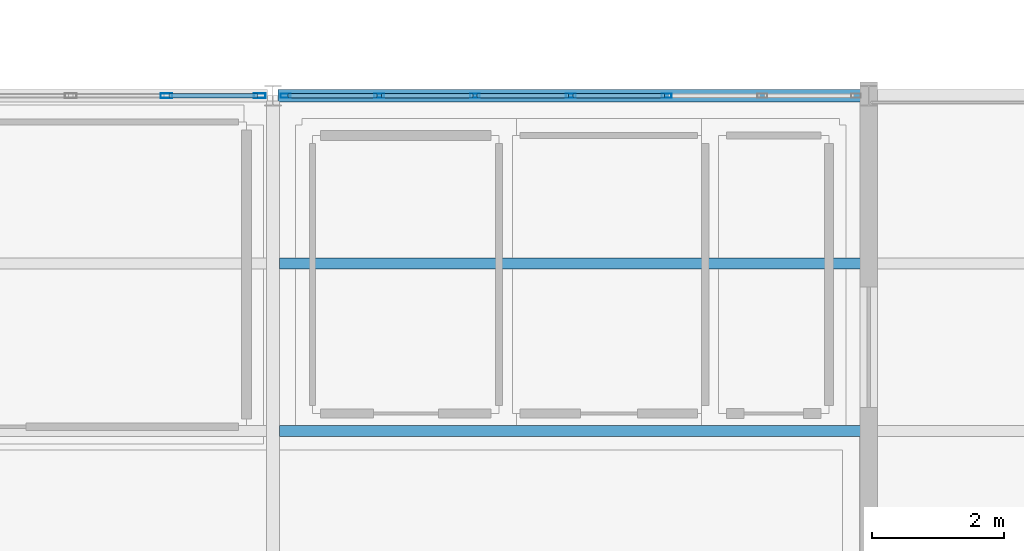
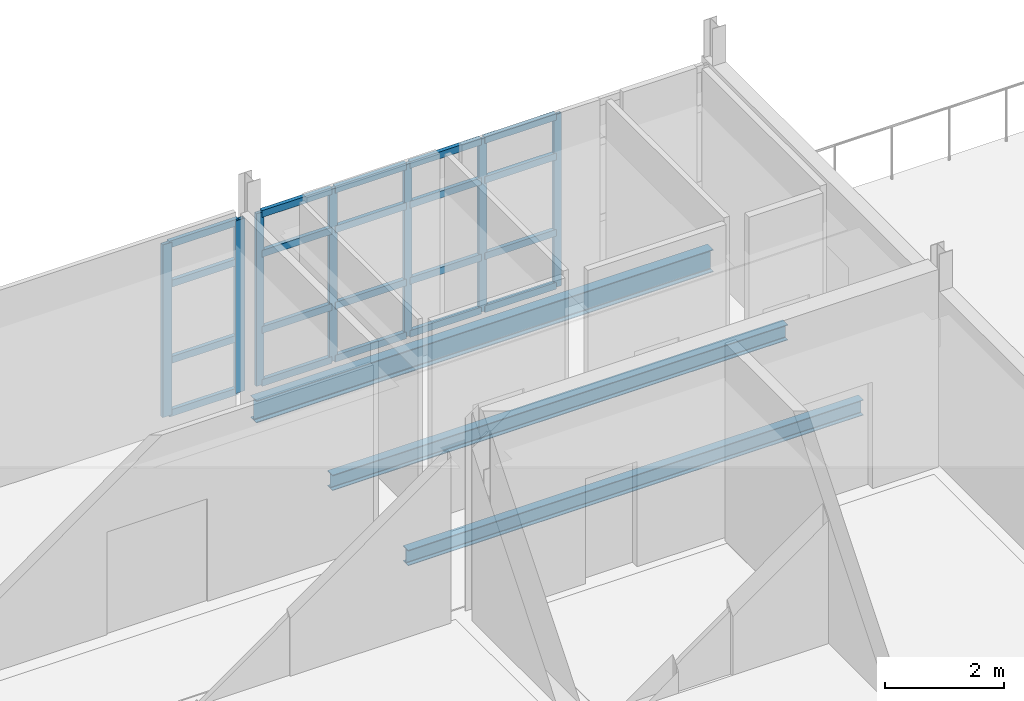
# One storey, part 9 of 24: 27 members, 3 beams, 2 elements without a shape of their own.
"""IFC4 building model written with IfcOpenShell, lengths in metres."""

from ifc_helpers import new_model, si_unit, direction, frame, origin, origin_2d, place, context, subcontext, project, spatial, hollow_rectangle, i_section, extrude, material, material_profile, profile_set, type_object, element, aggregate, save


model = new_model("IFC4")

# Units and contexts
model_context = context("Model", 3, precision=1e-05, world=origin(), true_north=direction((0.0, 1.0)))
body_context = subcontext(model_context, "Body", "Model", "MODEL_VIEW")
ifc_project = project(units=[si_unit("LENGTHUNIT", "METRE"), si_unit("AREAUNIT", "SQUARE_METRE"), si_unit("VOLUMEUNIT", "CUBIC_METRE"), si_unit("PLANEANGLEUNIT", "RADIAN"), si_unit("MASSUNIT", "GRAM", prefix="KILO")], contexts=[model_context])

# Site, building, storey
site_placement = place(None, origin())
site = spatial("IfcSite", under=ifc_project, at=site_placement, CompositionType="ELEMENT")
building_placement = place(site_placement, origin())
building = spatial("IfcBuilding", under=site, at=building_placement, Name="Caisbarro Railhouse Central Library", CompositionType="ELEMENT")
storey_placement = place(building_placement, frame((0.0, 0.0, 22.320068359375)))
storey = spatial("IfcBuildingStorey", under=building, at=storey_placement, Name="L05", CompositionType="ELEMENT", Elevation=22.320068359375)

# Beams
ifc_material_1 = material(Name="Steel ASTM A572 Grade 50", Category="steel")
ifc_material_profile_1 = material_profile(ifc_material_1, i_section(OverallWidth=0.1669921875, OverallDepth=0.31689453125, WebThickness=0.007568359375, FlangeThickness=0.01318359375, FilletRadius=0.011962890625, at=origin_2d()), Name="W310X52.0")
ifc_profile_set_1 = profile_set([ifc_material_profile_1], Name="Steel ASTM A572 Grade 50")
beam_type_1 = type_object("IfcBeamType", Name="BM-J02", PredefinedType="JOIST", material=ifc_profile_set_1)
for number, where, z_axis, x_axis, name in (
    (1, (90.096923828125, 17.7333984375, -0.398681640625), (1.0, 0.0, 0.0), (0.0, 1.0, 0.0), "J02 beam L05 #2219"),
    (2, (90.096923828125, 20.2666015625, -0.398681640625), (1.0, 0.0, 0.0), (0.0, 1.0, 0.0), "J02 beam L05 #2220"),
):
    element("IfcBeam", number, at=place(storey_placement, frame(where, z_axis=z_axis, x_axis=x_axis)), inside=storey, type_object=beam_type_1, Name=name, PredefinedType="JOIST", context=body_context, shape_type="SweptSolid", body=[
        extrude(i_section(OverallWidth=0.1669921875, OverallDepth=0.31689453125, WebThickness=0.007568359375, FlangeThickness=0.01318359375, FilletRadius=0.011962890625, at=origin_2d()), origin(), (0.0, 0.0, 1.0), 8.80615234375),
    ])
ifc_material_profile_2 = material_profile(ifc_material_1, i_section(OverallWidth=0.18994140625, OverallDepth=0.45703125, WebThickness=0.009033203125, FlangeThickness=0.014404296875, FilletRadius=0.01806640625, at=origin_2d()), Name="W460X74.0")
ifc_profile_set_2 = profile_set([ifc_material_profile_2], Name="Steel ASTM A572 Grade 50")
beam_type_2 = type_object("IfcBeamType", Name="BM-SP01", PredefinedType="SPANDREL", material=ifc_profile_set_2)
beam_placement = place(storey_placement, frame((90.080078125, 22.800048828125, -0.468505859375), z_axis=(1.0, 0.0, 0.0), x_axis=(0.0, 1.0, 0.0)))
element("IfcBeam", 3, at=beam_placement, inside=storey, type_object=beam_type_2, Name="SP01 beam L05 #2189", PredefinedType="SPANDREL", context=body_context, shape_type="SweptSolid", body=[
    extrude(i_section(OverallWidth=0.18994140625, OverallDepth=0.45703125, WebThickness=0.009033203125, FlangeThickness=0.014404296875, FilletRadius=0.01806640625, at=origin_2d()), origin(), (0.0, 0.0, 1.0), 8.83984375),
])

# Curtain wall, members
ifc_material_2 = material(Name="Anodised architectural aluminium", Category="aluminium")
curtain_wall_type = type_object("IfcCurtainWallType", Name="CW-CW02", PredefinedType="NOTDEFINED", material=ifc_material_2)
curtain_wall_1_placement = place(storey_placement, origin())
curtain_wall_1 = element("IfcCurtainWall", 4, at=curtain_wall_1_placement, inside=storey, type_object=curtain_wall_type, Name="CW02 curtain wall L05 #72", PredefinedType="NOTDEFINED")
ifc_material_profile_3 = material_profile(ifc_material_2, hollow_rectangle(XDim=0.074951171875, YDim=0.179931640625, WallThickness=0.00439453125, at=origin_2d()), Name="ALU-MUL-75X180")
ifc_profile_set_3 = profile_set([ifc_material_profile_3], Name="Anodised architectural aluminium")
member_type_1 = type_object("IfcMemberType", Name="CWM-M01", PredefinedType="MULLION", material=ifc_profile_set_3)
member_1_placement = place(storey_placement, frame((88.393310546875, 22.800048828125, 0.0), z_axis=(0.0, 0.0, 1.0), x_axis=(0.0, 1.0, 0.0)))
member_1 = element("IfcMember", 5, at=member_1_placement, type_object=member_type_1, Name="CW02 mullion 6", PredefinedType="MULLION", context=body_context, shape_type="SweptSolid", body=[
    extrude(hollow_rectangle(XDim=0.074951171875, YDim=0.179931640625, WallThickness=0.00439453125, at=origin_2d()), origin(), (0.0, 0.0, 1.0), 3.530029296875),
])
member_2_placement = place(storey_placement, frame((89.802490234375, 22.800048828125, 0.0), z_axis=(0.0, 0.0, 1.0), x_axis=(0.0, 1.0, 0.0)))
member_2 = element("IfcMember", 6, at=member_2_placement, type_object=member_type_1, Name="CW02 mullion 7", PredefinedType="MULLION", context=body_context, shape_type="SweptSolid", body=[
    extrude(hollow_rectangle(XDim=0.074951171875, YDim=0.179931640625, WallThickness=0.00439453125, at=origin_2d()), origin(), (0.0, 0.0, 1.0), 3.530029296875),
])

curtain_wall_2_placement = place(storey_placement, origin())
curtain_wall_2 = element("IfcCurtainWall", 7, at=curtain_wall_2_placement, inside=storey, type_object=curtain_wall_type, Name="CW02 curtain wall L05 #73", PredefinedType="NOTDEFINED")
ifc_material_profile_4 = material_profile(ifc_material_2, hollow_rectangle(XDim=0.06494140625, YDim=0.14990234375, WallThickness=0.00390625, at=origin_2d()), Name="ALU-MUL-65X150")
ifc_profile_set_4 = profile_set([ifc_material_profile_4], Name="Anodised architectural aluminium")
member_type_2 = type_object("IfcMemberType", Name="CWM-M02", PredefinedType="MULLION", material=ifc_profile_set_4)
member_3_placement = place(storey_placement, frame((90.1923828125, 22.800048828125, 0.0), z_axis=(0.0, 0.0, 1.0), x_axis=(0.0, 1.0, 0.0)))
member_3 = element("IfcMember", 8, at=member_3_placement, type_object=member_type_2, Name="CW02 mullion 1", PredefinedType="MULLION", context=body_context, shape_type="SweptSolid", body=[
    extrude(hollow_rectangle(XDim=0.06494140625, YDim=0.14990234375, WallThickness=0.00390625, at=origin_2d()), origin(), (0.0, 0.0, 1.0), 3.530029296875),
])
member_4_placement = place(storey_placement, frame((91.606689453125, 22.800048828125, 0.0), z_axis=(0.0, 0.0, 1.0), x_axis=(0.0, 1.0, 0.0)))
member_4 = element("IfcMember", 9, at=member_4_placement, type_object=member_type_2, Name="CW02 mullion 2", PredefinedType="MULLION", context=body_context, shape_type="SweptSolid", body=[
    extrude(hollow_rectangle(XDim=0.06494140625, YDim=0.14990234375, WallThickness=0.00390625, at=origin_2d()), origin(), (0.0, 0.0, 1.0), 3.530029296875),
])
member_5_placement = place(storey_placement, frame((93.05322265625, 22.800048828125, 0.0), z_axis=(0.0, 0.0, 1.0), x_axis=(0.0, 1.0, 0.0)))
member_5 = element("IfcMember", 10, at=member_5_placement, type_object=member_type_2, Name="CW02 mullion 3", PredefinedType="MULLION", context=body_context, shape_type="SweptSolid", body=[
    extrude(hollow_rectangle(XDim=0.06494140625, YDim=0.14990234375, WallThickness=0.00390625, at=origin_2d()), origin(), (0.0, 0.0, 1.0), 3.530029296875),
])
member_6_placement = place(storey_placement, frame((94.5, 22.800048828125, 0.0), z_axis=(0.0, 0.0, 1.0), x_axis=(0.0, 1.0, 0.0)))
member_6 = element("IfcMember", 11, at=member_6_placement, type_object=member_type_2, Name="CW02 mullion 4", PredefinedType="MULLION", context=body_context, shape_type="SweptSolid", body=[
    extrude(hollow_rectangle(XDim=0.06494140625, YDim=0.14990234375, WallThickness=0.00390625, at=origin_2d()), origin(), (0.0, 0.0, 1.0), 3.530029296875),
])
member_7_placement = place(storey_placement, frame((95.94677734375, 22.800048828125, 0.0), z_axis=(0.0, 0.0, 1.0), x_axis=(0.0, 1.0, 0.0)))
member_7 = element("IfcMember", 12, at=member_7_placement, type_object=member_type_2, Name="CW02 mullion 5", PredefinedType="MULLION", context=body_context, shape_type="SweptSolid", body=[
    extrude(hollow_rectangle(XDim=0.06494140625, YDim=0.14990234375, WallThickness=0.00390625, at=origin_2d()), origin(), (0.0, 0.0, 1.0), 3.530029296875),
])

# Member
ifc_material_profile_5 = material_profile(ifc_material_2, hollow_rectangle(XDim=0.074951171875, YDim=0.139892578125, WallThickness=0.00390625, at=origin_2d()), Name="ALU-TRN-75X140")
ifc_profile_set_5 = profile_set([ifc_material_profile_5], Name="Anodised architectural aluminium")
member_type_3 = type_object("IfcMemberType", Name="CWT-T01", PredefinedType="USERDEFINED", material=ifc_profile_set_5)
member_8_placement = place(storey_placement, frame((88.430908203125, 22.800048828125, 0.037353515625), z_axis=(1.0, 0.0, 0.0), x_axis=(0.0, 1.0, 0.0)))
member_8 = element("IfcMember", 13, at=member_8_placement, type_object=member_type_3, Name="CW02 transom 6.1", ObjectType="TRANSOM", PredefinedType="USERDEFINED", context=body_context, shape_type="SweptSolid", body=[
    extrude(hollow_rectangle(XDim=0.074951171875, YDim=0.139892578125, WallThickness=0.00390625, at=origin_2d()), origin(), (0.0, 0.0, 1.0), 1.333984375),
])

member_9_placement = place(storey_placement, frame((88.430908203125, 22.800048828125, 1.119873046875), z_axis=(1.0, 0.0, 0.0), x_axis=(0.0, 1.0, 0.0)))
member_9 = element("IfcMember", 14, at=member_9_placement, type_object=member_type_3, Name="CW02 transom 6.2", ObjectType="TRANSOM", PredefinedType="USERDEFINED", context=body_context, shape_type="SweptSolid", body=[
    extrude(hollow_rectangle(XDim=0.074951171875, YDim=0.139892578125, WallThickness=0.00390625, at=origin_2d()), origin(), (0.0, 0.0, 1.0), 1.333984375),
])

member_10_placement = place(storey_placement, frame((88.430908203125, 22.800048828125, 2.679931640625), z_axis=(1.0, 0.0, 0.0), x_axis=(0.0, 1.0, 0.0)))
member_10 = element("IfcMember", 15, at=member_10_placement, type_object=member_type_3, Name="CW02 transom 6.3", ObjectType="TRANSOM", PredefinedType="USERDEFINED", context=body_context, shape_type="SweptSolid", body=[
    extrude(hollow_rectangle(XDim=0.074951171875, YDim=0.139892578125, WallThickness=0.00390625, at=origin_2d()), origin(), (0.0, 0.0, 1.0), 1.333984375),
])

member_11_placement = place(storey_placement, frame((88.430908203125, 22.800048828125, 3.492431640625), z_axis=(1.0, 0.0, 0.0), x_axis=(0.0, 1.0, 0.0)))
member_11 = element("IfcMember", 16, at=member_11_placement, type_object=member_type_3, Name="CW02 transom 6.4", ObjectType="TRANSOM", PredefinedType="USERDEFINED", context=body_context, shape_type="SweptSolid", body=[
    extrude(hollow_rectangle(XDim=0.074951171875, YDim=0.139892578125, WallThickness=0.00390625, at=origin_2d()), origin(), (0.0, 0.0, 1.0), 1.333984375),
])

aggregate(curtain_wall_1, [member_1, member_2, member_8, member_9, member_10, member_11])

member_12_placement = place(storey_placement, frame((90.22509765625, 22.800048828125, 0.037353515625), z_axis=(1.0, 0.0, 0.0), x_axis=(0.0, 1.0, 0.0)))
member_12 = element("IfcMember", 17, at=member_12_placement, type_object=member_type_3, Name="CW02 transom 1.1", ObjectType="TRANSOM", PredefinedType="USERDEFINED", context=body_context, shape_type="SweptSolid", body=[
    extrude(hollow_rectangle(XDim=0.074951171875, YDim=0.139892578125, WallThickness=0.00390625, at=origin_2d()), origin(), (0.0, 0.0, 1.0), 1.34912109375),
])

member_13_placement = place(storey_placement, frame((90.22509765625, 22.800048828125, 1.119873046875), z_axis=(1.0, 0.0, 0.0), x_axis=(0.0, 1.0, 0.0)))
member_13 = element("IfcMember", 18, at=member_13_placement, type_object=member_type_3, Name="CW02 transom 1.2", ObjectType="TRANSOM", PredefinedType="USERDEFINED", context=body_context, shape_type="SweptSolid", body=[
    extrude(hollow_rectangle(XDim=0.074951171875, YDim=0.139892578125, WallThickness=0.00390625, at=origin_2d()), origin(), (0.0, 0.0, 1.0), 1.34912109375),
])

member_14_placement = place(storey_placement, frame((90.22509765625, 22.800048828125, 2.679931640625), z_axis=(1.0, 0.0, 0.0), x_axis=(0.0, 1.0, 0.0)))
member_14 = element("IfcMember", 19, at=member_14_placement, type_object=member_type_3, Name="CW02 transom 1.3", ObjectType="TRANSOM", PredefinedType="USERDEFINED", context=body_context, shape_type="SweptSolid", body=[
    extrude(hollow_rectangle(XDim=0.074951171875, YDim=0.139892578125, WallThickness=0.00390625, at=origin_2d()), origin(), (0.0, 0.0, 1.0), 1.34912109375),
])

member_15_placement = place(storey_placement, frame((90.22509765625, 22.800048828125, 3.492431640625), z_axis=(1.0, 0.0, 0.0), x_axis=(0.0, 1.0, 0.0)))
member_15 = element("IfcMember", 20, at=member_15_placement, type_object=member_type_3, Name="CW02 transom 1.4", ObjectType="TRANSOM", PredefinedType="USERDEFINED", context=body_context, shape_type="SweptSolid", body=[
    extrude(hollow_rectangle(XDim=0.074951171875, YDim=0.139892578125, WallThickness=0.00390625, at=origin_2d()), origin(), (0.0, 0.0, 1.0), 1.34912109375),
])

member_16_placement = place(storey_placement, frame((91.63916015625, 22.800048828125, 0.037353515625), z_axis=(1.0, 0.0, 0.0), x_axis=(0.0, 1.0, 0.0)))
member_16 = element("IfcMember", 21, at=member_16_placement, type_object=member_type_3, Name="CW02 transom 2.1", ObjectType="TRANSOM", PredefinedType="USERDEFINED", context=body_context, shape_type="SweptSolid", body=[
    extrude(hollow_rectangle(XDim=0.074951171875, YDim=0.139892578125, WallThickness=0.00390625, at=origin_2d()), origin(), (0.0, 0.0, 1.0), 1.381591796875),
])

member_17_placement = place(storey_placement, frame((91.63916015625, 22.800048828125, 1.119873046875), z_axis=(1.0, 0.0, 0.0), x_axis=(0.0, 1.0, 0.0)))
member_17 = element("IfcMember", 22, at=member_17_placement, type_object=member_type_3, Name="CW02 transom 2.2", ObjectType="TRANSOM", PredefinedType="USERDEFINED", context=body_context, shape_type="SweptSolid", body=[
    extrude(hollow_rectangle(XDim=0.074951171875, YDim=0.139892578125, WallThickness=0.00390625, at=origin_2d()), origin(), (0.0, 0.0, 1.0), 1.381591796875),
])

member_18_placement = place(storey_placement, frame((91.63916015625, 22.800048828125, 2.679931640625), z_axis=(1.0, 0.0, 0.0), x_axis=(0.0, 1.0, 0.0)))
member_18 = element("IfcMember", 23, at=member_18_placement, type_object=member_type_3, Name="CW02 transom 2.3", ObjectType="TRANSOM", PredefinedType="USERDEFINED", context=body_context, shape_type="SweptSolid", body=[
    extrude(hollow_rectangle(XDim=0.074951171875, YDim=0.139892578125, WallThickness=0.00390625, at=origin_2d()), origin(), (0.0, 0.0, 1.0), 1.381591796875),
])

member_19_placement = place(storey_placement, frame((91.63916015625, 22.800048828125, 3.492431640625), z_axis=(1.0, 0.0, 0.0), x_axis=(0.0, 1.0, 0.0)))
member_19 = element("IfcMember", 24, at=member_19_placement, type_object=member_type_3, Name="CW02 transom 2.4", ObjectType="TRANSOM", PredefinedType="USERDEFINED", context=body_context, shape_type="SweptSolid", body=[
    extrude(hollow_rectangle(XDim=0.074951171875, YDim=0.139892578125, WallThickness=0.00390625, at=origin_2d()), origin(), (0.0, 0.0, 1.0), 1.381591796875),
])

member_20_placement = place(storey_placement, frame((93.0859375, 22.800048828125, 0.037353515625), z_axis=(1.0, 0.0, 0.0), x_axis=(0.0, 1.0, 0.0)))
member_20 = element("IfcMember", 25, at=member_20_placement, type_object=member_type_3, Name="CW02 transom 3.1", ObjectType="TRANSOM", PredefinedType="USERDEFINED", context=body_context, shape_type="SweptSolid", body=[
    extrude(hollow_rectangle(XDim=0.074951171875, YDim=0.139892578125, WallThickness=0.00390625, at=origin_2d()), origin(), (0.0, 0.0, 1.0), 1.381591796875),
])

member_21_placement = place(storey_placement, frame((93.0859375, 22.800048828125, 1.119873046875), z_axis=(1.0, 0.0, 0.0), x_axis=(0.0, 1.0, 0.0)))
member_21 = element("IfcMember", 26, at=member_21_placement, type_object=member_type_3, Name="CW02 transom 3.2", ObjectType="TRANSOM", PredefinedType="USERDEFINED", context=body_context, shape_type="SweptSolid", body=[
    extrude(hollow_rectangle(XDim=0.074951171875, YDim=0.139892578125, WallThickness=0.00390625, at=origin_2d()), origin(), (0.0, 0.0, 1.0), 1.381591796875),
])

member_22_placement = place(storey_placement, frame((93.0859375, 22.800048828125, 2.679931640625), z_axis=(1.0, 0.0, 0.0), x_axis=(0.0, 1.0, 0.0)))
member_22 = element("IfcMember", 27, at=member_22_placement, type_object=member_type_3, Name="CW02 transom 3.3", ObjectType="TRANSOM", PredefinedType="USERDEFINED", context=body_context, shape_type="SweptSolid", body=[
    extrude(hollow_rectangle(XDim=0.074951171875, YDim=0.139892578125, WallThickness=0.00390625, at=origin_2d()), origin(), (0.0, 0.0, 1.0), 1.381591796875),
])

member_23_placement = place(storey_placement, frame((93.0859375, 22.800048828125, 3.492431640625), z_axis=(1.0, 0.0, 0.0), x_axis=(0.0, 1.0, 0.0)))
member_23 = element("IfcMember", 28, at=member_23_placement, type_object=member_type_3, Name="CW02 transom 3.4", ObjectType="TRANSOM", PredefinedType="USERDEFINED", context=body_context, shape_type="SweptSolid", body=[
    extrude(hollow_rectangle(XDim=0.074951171875, YDim=0.139892578125, WallThickness=0.00390625, at=origin_2d()), origin(), (0.0, 0.0, 1.0), 1.381591796875),
])

member_24_placement = place(storey_placement, frame((94.532470703125, 22.800048828125, 0.037353515625), z_axis=(1.0, 0.0, 0.0), x_axis=(0.0, 1.0, 0.0)))
member_24 = element("IfcMember", 29, at=member_24_placement, type_object=member_type_3, Name="CW02 transom 4.1", ObjectType="TRANSOM", PredefinedType="USERDEFINED", context=body_context, shape_type="SweptSolid", body=[
    extrude(hollow_rectangle(XDim=0.074951171875, YDim=0.139892578125, WallThickness=0.00390625, at=origin_2d()), origin(), (0.0, 0.0, 1.0), 1.381591796875),
])

member_25_placement = place(storey_placement, frame((94.532470703125, 22.800048828125, 1.119873046875), z_axis=(1.0, 0.0, 0.0), x_axis=(0.0, 1.0, 0.0)))
member_25 = element("IfcMember", 30, at=member_25_placement, type_object=member_type_3, Name="CW02 transom 4.2", ObjectType="TRANSOM", PredefinedType="USERDEFINED", context=body_context, shape_type="SweptSolid", body=[
    extrude(hollow_rectangle(XDim=0.074951171875, YDim=0.139892578125, WallThickness=0.00390625, at=origin_2d()), origin(), (0.0, 0.0, 1.0), 1.381591796875),
])

member_26_placement = place(storey_placement, frame((94.532470703125, 22.800048828125, 2.679931640625), z_axis=(1.0, 0.0, 0.0), x_axis=(0.0, 1.0, 0.0)))
member_26 = element("IfcMember", 31, at=member_26_placement, type_object=member_type_3, Name="CW02 transom 4.3", ObjectType="TRANSOM", PredefinedType="USERDEFINED", context=body_context, shape_type="SweptSolid", body=[
    extrude(hollow_rectangle(XDim=0.074951171875, YDim=0.139892578125, WallThickness=0.00390625, at=origin_2d()), origin(), (0.0, 0.0, 1.0), 1.381591796875),
])

member_27_placement = place(storey_placement, frame((94.532470703125, 22.800048828125, 3.492431640625), z_axis=(1.0, 0.0, 0.0), x_axis=(0.0, 1.0, 0.0)))
member_27 = element("IfcMember", 32, at=member_27_placement, type_object=member_type_3, Name="CW02 transom 4.4", ObjectType="TRANSOM", PredefinedType="USERDEFINED", context=body_context, shape_type="SweptSolid", body=[
    extrude(hollow_rectangle(XDim=0.074951171875, YDim=0.139892578125, WallThickness=0.00390625, at=origin_2d()), origin(), (0.0, 0.0, 1.0), 1.381591796875),
])

aggregate(curtain_wall_2, [member_3, member_4, member_5, member_6, member_7, member_12, member_13, member_14, member_15, member_16, member_17, member_18, member_19, member_20, member_21, member_22, member_23, member_24, member_25, member_26, member_27])

save(model, "model.ifc")
